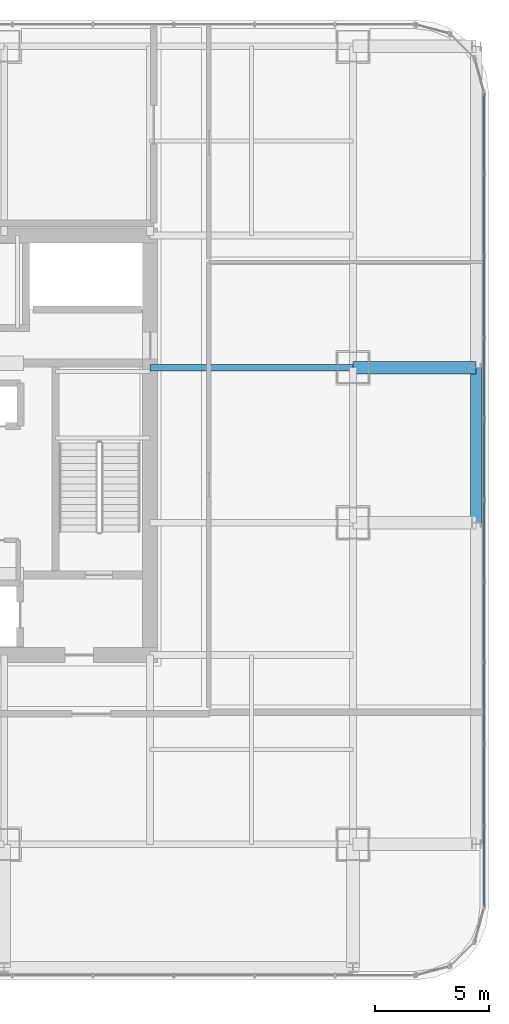
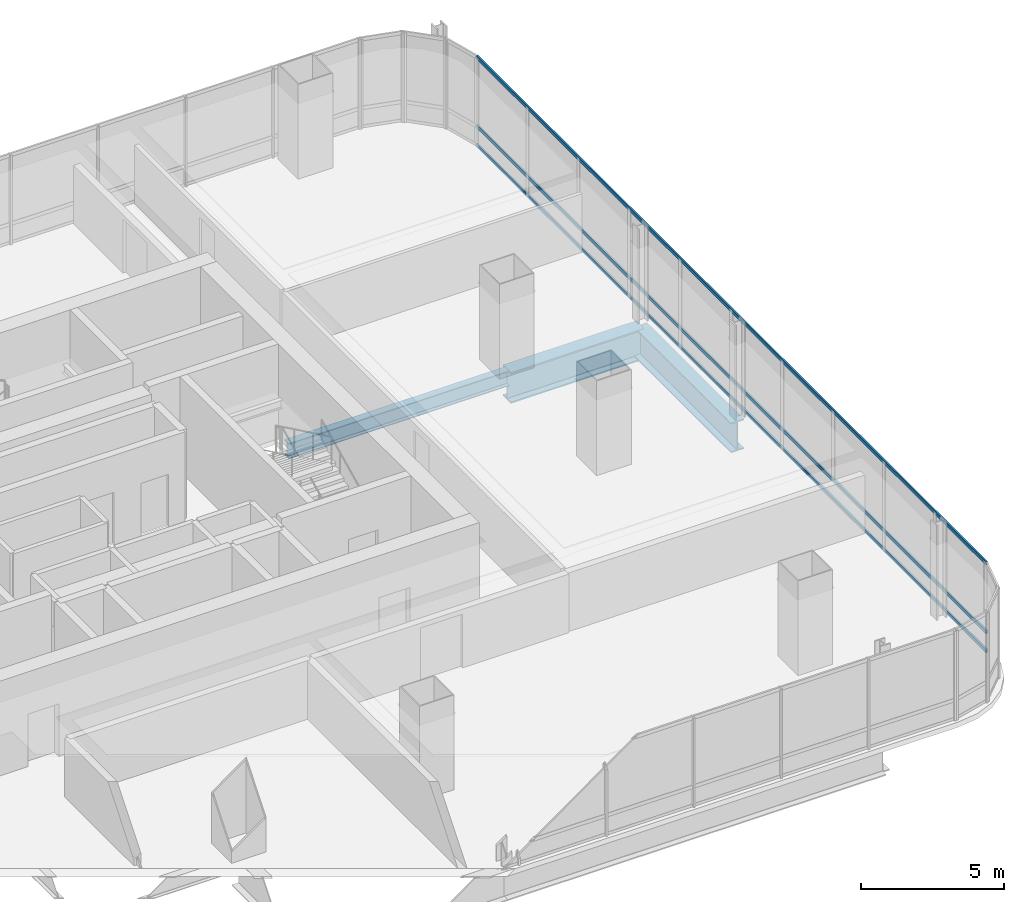
# One storey, part 18 of 35: 3 beams, 3 members, 1 element without a shape of its own.
"""IFC4 building model written with IfcOpenShell, lengths in metres."""

from ifc_helpers import new_model, si_unit, direction, frame, origin, origin_2d, place, context, subcontext, project, spatial, hollow_rectangle, i_section, extrude, material, material_profile, profile_set, type_object, element, aggregate, save


model = new_model("IFC4")

# Units and contexts
model_context = context("Model", 3, precision=1e-05, world=origin(), true_north=direction((0.0, 1.0)))
body_context = subcontext(model_context, "Body", "Model", "MODEL_VIEW")
ifc_project = project(units=[si_unit("LENGTHUNIT", "METRE"), si_unit("AREAUNIT", "SQUARE_METRE"), si_unit("VOLUMEUNIT", "CUBIC_METRE"), si_unit("PLANEANGLEUNIT", "RADIAN"), si_unit("MASSUNIT", "GRAM", prefix="KILO")], contexts=[model_context])

# Site, building, storey
site_placement = place(None, origin())
site = spatial("IfcSite", under=ifc_project, at=site_placement, CompositionType="ELEMENT")
building_placement = place(site_placement, origin())
building = spatial("IfcBuilding", under=site, at=building_placement, Name="Punatoya Terracotta Tower", CompositionType="ELEMENT")
storey_placement = place(building_placement, frame((0.0, 0.0, 216.75)))
storey = spatial("IfcBuildingStorey", under=building, at=storey_placement, Name="L51", CompositionType="ELEMENT", Elevation=216.75)

# Beams
ifc_material_1 = material(Name="Steel S355", Category="steel")
ifc_material_profile_1 = material_profile(ifc_material_1, i_section(OverallWidth=0.300048828125, OverallDepth=0.64990234375, WebThickness=0.01611328125, FlangeThickness=0.031005859375, FilletRadius=0.01806640625, at=origin_2d()))
ifc_profile_set_1 = profile_set([ifc_material_profile_1], Name="Steel S355")
beam_type_1 = type_object("IfcBeamType", Name="BM-PRI-650", PredefinedType="BEAM", material=ifc_profile_set_1)
beam_1_placement = place(storey_placement, frame((10.199951171875, 3.39990234375, -0.544921875), z_axis=(1.0, 0.0, 0.0), x_axis=(0.0, 1.0, 0.0)))
element("IfcBeam", 1, at=beam_1_placement, inside=storey, type_object=beam_type_1, Name="BM-L51-PR-EE", PredefinedType="BEAM", context=body_context, shape_type="SweptSolid", body=[
    extrude(i_section(OverallWidth=0.300048828125, OverallDepth=0.64990234375, WebThickness=0.01611328125, FlangeThickness=0.031005859375, FilletRadius=0.01806640625, at=origin_2d()), origin(), (0.0, 0.0, 1.0), 8.900146484375),
])
ifc_material_2 = material(Name="Steel S460", Category="steel")
ifc_material_profile_2 = material_profile(ifc_material_2, i_section(OverallWidth=0.56005859375, OverallDepth=1.320068359375, WebThickness=0.035888671875, FlangeThickness=0.054931640625, FilletRadius=0.01806640625, at=origin_2d()))
ifc_profile_set_2 = profile_set([ifc_material_profile_2], Name="Steel S460")
beam_type_2 = type_object("IfcBeamType", Name="BM-TG-BLK", PredefinedType="BEAM", material=ifc_profile_set_2)
beam_2_placement = place(storey_placement, frame((19.10009765625, 3.39990234375, -0.8798828125), z_axis=(1.0, 0.0, 0.0), x_axis=(0.0, 1.0, 0.0)))
element("IfcBeam", 2, at=beam_2_placement, inside=storey, type_object=beam_type_2, Name="BM-L51-CANT-E3", PredefinedType="BEAM", context=body_context, shape_type="SweptSolid", body=[
    extrude(i_section(OverallWidth=0.56005859375, OverallDepth=1.320068359375, WebThickness=0.035888671875, FlangeThickness=0.054931640625, FilletRadius=0.01806640625, at=origin_2d()), origin(), (0.0, 0.0, 1.0), 5.39990234375),
])
ifc_material_profile_3 = material_profile(ifc_material_2, i_section(OverallWidth=0.52001953125, OverallDepth=1.280029296875, WebThickness=0.031982421875, FlangeThickness=0.050048828125, FilletRadius=0.01806640625, at=origin_2d()))
ifc_profile_set_3 = profile_set([ifc_material_profile_3], Name="Steel S460")
beam_type_3 = type_object("IfcBeamType", Name="BM-TG-NCK", PredefinedType="BEAM", material=ifc_profile_set_3)
beam_3_placement = place(storey_placement, frame((24.5, -3.39990234375, -0.860107421875), z_axis=(0.0, 1.0, 0.0), x_axis=(-1.0, 0.0, 0.0)))
element("IfcBeam", 3, at=beam_3_placement, inside=storey, type_object=beam_type_3, Name="BM-L51-PER-E2", PredefinedType="BEAM", context=body_context, shape_type="SweptSolid", body=[
    extrude(i_section(OverallWidth=0.52001953125, OverallDepth=1.280029296875, WebThickness=0.031982421875, FlangeThickness=0.050048828125, FilletRadius=0.01806640625, at=origin_2d()), origin(), (0.0, 0.0, 1.0), 6.7998046875),
])

# Curtain wall, members
ifc_material_3 = material(Name="Aluminium 6063-T6 + Double Low-E Glass", Category="aluminium")
curtain_wall_type = type_object("IfcCurtainWallType", Name="CW-M2", PredefinedType="NOTDEFINED", material=ifc_material_3)
curtain_wall_placement = place(storey_placement, origin())
curtain_wall = element("IfcCurtainWall", 4, at=curtain_wall_placement, inside=storey, type_object=curtain_wall_type, Name="L51 Curtain Wall CW-L51-E05-1", PredefinedType="NOTDEFINED")
ifc_material_4 = material(Name="Aluminium 6063-T6", Category="aluminium")
ifc_material_profile_4 = material_profile(ifc_material_4, hollow_rectangle(XDim=0.068115234375, YDim=0.14990234375, WallThickness=0.00390625, at=origin_2d()))
ifc_profile_set_4 = profile_set([ifc_material_profile_4], Name="Aluminium 6063-T6")
member_type = type_object("IfcMemberType", Name="CW-TRN-TYP", PredefinedType="USERDEFINED", material=ifc_profile_set_4)
member_1_placement = place(storey_placement, frame((24.85009765625, -20.23681640625, 0.0400390625), z_axis=(0.0, 1.0, 0.0), x_axis=(-1.0, 0.0, 0.0)))
member_1 = element("IfcMember", 5, at=member_1_placement, type_object=member_type, Name="CW-L51-E05-1 Transom 1", ObjectType="TRANSOM", PredefinedType="USERDEFINED", context=body_context, shape_type="SweptSolid", body=[
    extrude(hollow_rectangle(XDim=0.068115234375, YDim=0.14990234375, WallThickness=0.00390625, at=origin_2d()), origin(), (0.0, 0.0, 1.0), 35.673828125),
])
member_2_placement = place(storey_placement, frame((24.85009765625, -20.23681640625, 0.85009765625), z_axis=(0.0, 1.0, 0.0), x_axis=(-1.0, 0.0, 0.0)))
member_2 = element("IfcMember", 6, at=member_2_placement, type_object=member_type, Name="CW-L51-E05-1 Transom 2", ObjectType="TRANSOM", PredefinedType="USERDEFINED", context=body_context, shape_type="SweptSolid", body=[
    extrude(hollow_rectangle(XDim=0.068115234375, YDim=0.14990234375, WallThickness=0.00390625, at=origin_2d()), origin(), (0.0, 0.0, 1.0), 35.673828125),
])
member_3_placement = place(storey_placement, frame((24.85009765625, -20.23681640625, 3.7900390625), z_axis=(0.0, 1.0, 0.0), x_axis=(-1.0, 0.0, 0.0)))
member_3 = element("IfcMember", 7, at=member_3_placement, type_object=member_type, Name="CW-L51-E05-1 Transom 3", ObjectType="TRANSOM", PredefinedType="USERDEFINED", context=body_context, shape_type="SweptSolid", body=[
    extrude(hollow_rectangle(XDim=0.068115234375, YDim=0.14990234375, WallThickness=0.00390625, at=origin_2d()), origin(), (0.0, 0.0, 1.0), 35.673828125),
])
aggregate(curtain_wall, [member_1, member_2, member_3])

save(model, "model.ifc")
